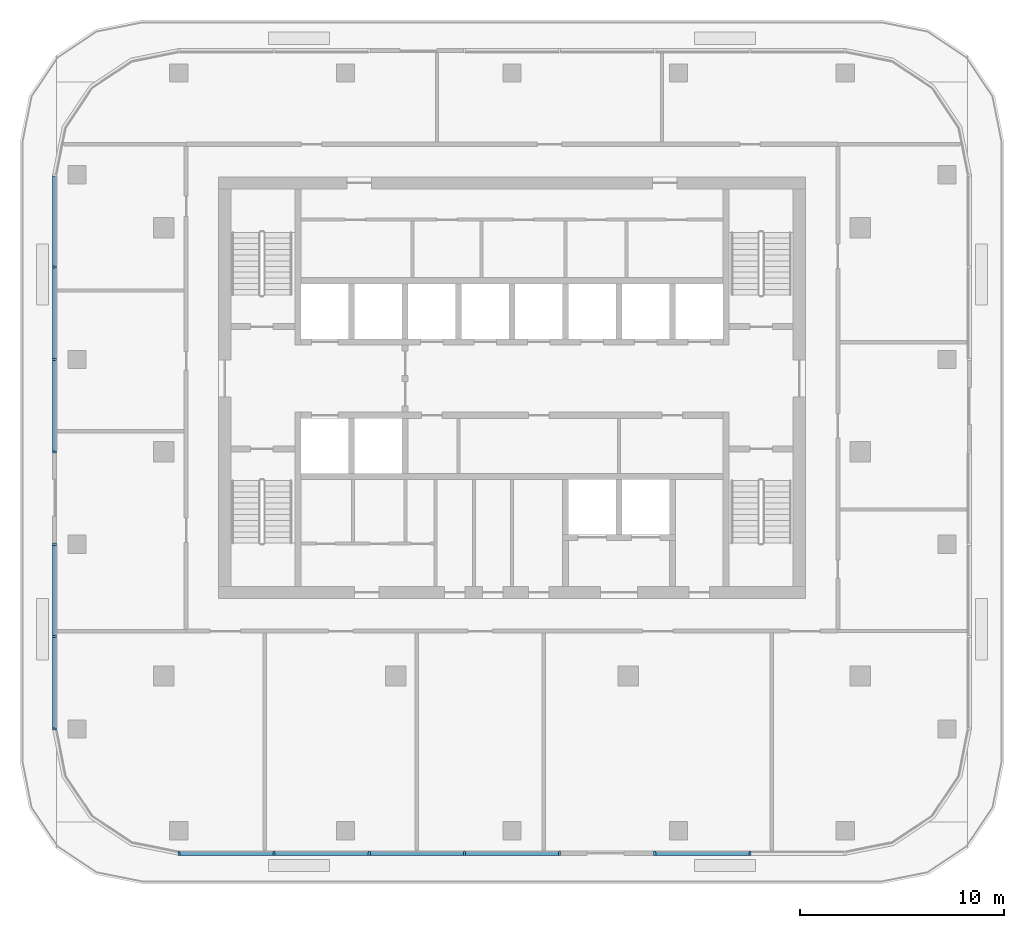
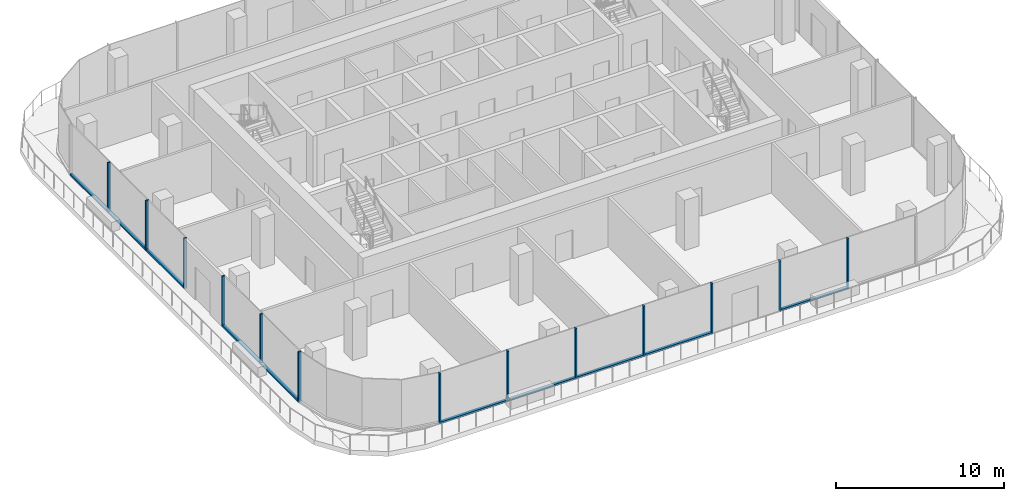
# One storey, part 2 of 12: 23 members, 4 elements without a shape of their own.
"""IFC4 building model written with IfcOpenShell, lengths in metres."""

import ifcopenshell
import ifcopenshell.guid

model = None  # the IFC model being written
_history = None  # IfcOwnerHistory: only IFC2X3 demands one
_inside = {}  # id of a spatial element -> (the spatial element, [elements in it])
_under = {}  # id of a project, library or spatial element -> (it, [spatial elements below it])
_declared = {}  # id of a project -> (the project, [libraries it declares])
_typed = {}  # id of a type object -> (the type object, [elements of that type])
_made_of = {}  # id of a material, layer set ... -> (it, [elements and type objects made of it])


def new_model(schema):
    """Start an empty IFC model of exactly this schema.

    Asked for "IFC4X3", IfcOpenShell would pick the latest addendum, in which some entities
    have other attributes; the version numbers below select the first issue.
    IFC2X3 requires an IfcOwnerHistory on every rooted entity: one is made here for all.
    """
    global model, _history
    if schema == "IFC4X3":
        model = ifcopenshell.file(schema_version=(4, 3, 0, 0))
    else:
        model = ifcopenshell.file(schema=schema)
    _inside.clear()
    _under.clear()
    _declared.clear()
    _typed.clear()
    _made_of.clear()
    _history = None
    if model.schema == "IFC2X3":
        org = make("IfcOrganization", Name="unknown")
        user = make(
            "IfcPersonAndOrganization",
            ThePerson=make("IfcPerson", FamilyName="unknown"),
            TheOrganization=org,
        )
        app = make(
            "IfcApplication",
            ApplicationDeveloper=org,
            Version="unknown",
            ApplicationFullName="unknown",
            ApplicationIdentifier="unknown",
        )
        _history = make(
            "IfcOwnerHistory",
            OwningUser=user,
            OwningApplication=app,
            ChangeAction="ADDED",
            CreationDate=0,
        )
    return model


def make(cls, **values):
    """One entity of the class cls with the attributes given. An attribute that is None is left unset."""
    return model.create_entity(
        cls, **{name: value for name, value in values.items() if value is not None}
    )


def rooted(cls, **values):
    """An entity with a GlobalId (a new one), such as an element, a storey or a relation."""
    return make(cls, GlobalId=ifcopenshell.guid.new(), OwnerHistory=_history, **values)


def si_unit(unit_type, name, prefix=None):
    """IfcSIUnit, for example si_unit("LENGTHUNIT", "METRE", prefix="MILLI")."""
    return make("IfcSIUnit", UnitType=unit_type, Prefix=prefix, Name=name)


def assignment(units):
    """IfcUnitAssignment: the units of a project."""
    return None if units is None else make("IfcUnitAssignment", Units=units)


def point(xyz):
    """IfcCartesianPoint."""
    return None if xyz is None else make("IfcCartesianPoint", Coordinates=xyz)


def direction(xyz):
    """IfcDirection."""
    return None if xyz is None else make("IfcDirection", DirectionRatios=xyz)


def frame(location, z_axis=None, x_axis=None):
    """IfcAxis2Placement3D, a coordinate frame: its origin and axes. An axis left out is left unset."""
    return make(
        "IfcAxis2Placement3D",
        Location=point(location),
        Axis=direction(z_axis),
        RefDirection=direction(x_axis),
    )


def frame_2d(location, x_axis=None):
    """IfcAxis2Placement2D, a coordinate frame in the plane: its origin and x axis."""
    return make(
        "IfcAxis2Placement2D", Location=point(location), RefDirection=direction(x_axis)
    )


def origin():
    """The frame at (0, 0, 0) with its axes left unset."""
    return frame((0.0, 0.0, 0.0))


def origin_2d():
    """The frame at (0, 0) in the plane with its x axis left unset."""
    return frame_2d((0.0, 0.0))


def place(relative_to, where):
    """IfcLocalPlacement: puts the frame where relative to a parent placement (None: the world)."""
    return make(
        "IfcLocalPlacement", PlacementRelTo=relative_to, RelativePlacement=where
    )


def context(
    kind, dimensions, precision=None, world=None, true_north=None, identifier=None
):
    """IfcGeometricRepresentationContext, for example the 3D "Model" context."""
    return make(
        "IfcGeometricRepresentationContext",
        ContextIdentifier=identifier,
        ContextType=kind,
        CoordinateSpaceDimension=dimensions,
        Precision=precision,
        WorldCoordinateSystem=world,
        TrueNorth=true_north,
    )


def subcontext(parent, identifier, kind, view, scale=None):
    """IfcGeometricRepresentationSubContext, for example "Body" below "Model"."""
    return make(
        "IfcGeometricRepresentationSubContext",
        ContextIdentifier=identifier,
        ContextType=kind,
        ParentContext=parent,
        TargetScale=scale,
        TargetView=view,
    )


def project(units=None, contexts=None):
    """IfcProject with its units and contexts."""
    return rooted(
        "IfcProject",
        Name="project",
        RepresentationContexts=contexts,
        UnitsInContext=assignment(units),
    )


def spatial(cls, under=None, at=None, **own):
    """A site, building, storey or space (cls), placed at a placement, below another one or the project."""
    s = rooted(cls, ObjectPlacement=at, **own)
    if under is not None:
        _under.setdefault(under.id(), (under, []))[1].append(s)
    return s


def profile(cls, at=None, kind="AREA", **sizes):
    """A parametric profile (cls). Its sizes go by their IFC names, for example OverallWidth=200.0."""
    return make(cls, ProfileType=kind, Position=at, **sizes)


def rectangle(**sizes):
    """IfcRectangleProfileDef."""
    return profile("IfcRectangleProfileDef", **sizes)


def extrude(swept, where, along, depth):
    """IfcExtrudedAreaSolid: the profile swept, set in the frame where, extruded along a direction by depth."""
    return make(
        "IfcExtrudedAreaSolid",
        SweptArea=swept,
        Position=where,
        ExtrudedDirection=direction(along),
        Depth=depth,
    )


def shape(context_of_items, identifier, shape_type, items):
    """IfcShapeRepresentation: the items that make up one representation, for example the "Body"."""
    return make(
        "IfcShapeRepresentation",
        ContextOfItems=context_of_items,
        RepresentationIdentifier=identifier,
        RepresentationType=shape_type,
        Items=items,
    )


def material(Name=None, Category=None):
    """IfcMaterial."""
    return make("IfcMaterial", Name=Name, Category=Category)


def material_profile(
    of_material, cross_section, Name=None, Category=None, Priority=None
):
    """IfcMaterialProfile: a cross section and its material."""
    return make(
        "IfcMaterialProfile",
        Name=Name,
        Material=of_material,
        Profile=cross_section,
        Priority=Priority,
        Category=Category,
    )


def profile_set(profiles, Name=None, composite=None):
    """IfcMaterialProfileSet."""
    return make(
        "IfcMaterialProfileSet",
        Name=Name,
        MaterialProfiles=profiles,
        CompositeProfile=composite,
    )


def made_of(thing, what):
    """Note that an element or type object is made of a material, layer set ...; save() writes the relation."""
    if what is not None:
        _made_of.setdefault(what.id(), (what, []))[1].append(thing)
    return thing


def type_object(cls, material=None, **own):
    """A type object (cls), such as IfcWallType, which elements share."""
    return made_of(rooted(cls, **own), material)


def element(
    cls,
    number,
    at=None,
    inside=None,
    cuts=None,
    type_object=None,
    material=None,
    context=None,
    identifier="Body",
    shape_type=None,
    held_by="IfcProductDefinitionShape",
    body=None,
    shapes=None,
    **own,
):
    """One element of the class cls, such as IfcWall. Its Tag is "e" and its number.

    at: its placement. inside: the storey or other place that contains it. cuts: it is an
    opening in that element (IfcRelVoidsElement). A single representation is given by context,
    identifier, shape_type and body (its items); several are given by shapes. held_by: the class
    of the entity that holds the representations. save() writes the other relations.
    """
    e = rooted(cls, Tag="e%d" % number, ObjectPlacement=at, **own)
    if body is not None:
        shapes = [shape(context, identifier, shape_type, body)]
    if shapes is not None:
        e.Representation = make(held_by, Representations=shapes)
    if inside is not None:
        _inside.setdefault(inside.id(), (inside, []))[1].append(e)
    if cuts is not None:
        rooted(
            "IfcRelVoidsElement", RelatingBuildingElement=cuts, RelatedOpeningElement=e
        )
    if type_object is not None:
        _typed.setdefault(type_object.id(), (type_object, []))[1].append(e)
    return made_of(e, material)


def aggregate(whole, parts):
    """IfcRelAggregates: a whole, such as a stair, and the parts it consists of."""
    return rooted("IfcRelAggregates", RelatingObject=whole, RelatedObjects=parts)


def save(model, path):
    """Write the relations noted so far, then the file.

    IfcRelAggregates (storeys below a building ...), IfcRelContainedInSpatialStructure (elements
    in a storey), IfcRelDefinesByType, IfcRelAssociatesMaterial and IfcRelDeclares: one each for
    every whole, place, type object, material and project.
    """
    for whole, parts in _under.values():
        aggregate(whole, parts)
    for where, things in _inside.values():
        rooted(
            "IfcRelContainedInSpatialStructure",
            RelatedElements=things,
            RelatingStructure=where,
        )
    for kind, things in _typed.values():
        rooted("IfcRelDefinesByType", RelatedObjects=things, RelatingType=kind)
    for what, things in _made_of.values():
        rooted("IfcRelAssociatesMaterial", RelatedObjects=things, RelatingMaterial=what)
    for by, libraries in _declared.values():
        rooted("IfcRelDeclares", RelatingContext=by, RelatedDefinitions=libraries)
    model.write(path)


model = new_model("IFC4")

# Units and contexts
model_context = context("Model", 3, precision=1e-05, world=origin(), true_north=direction((0.0, 1.0)))
body_context = subcontext(model_context, "Body", "Model", "MODEL_VIEW")
ifc_project = project(units=[si_unit("LENGTHUNIT", "METRE"), si_unit("AREAUNIT", "SQUARE_METRE"), si_unit("VOLUMEUNIT", "CUBIC_METRE"), si_unit("PLANEANGLEUNIT", "RADIAN"), si_unit("MASSUNIT", "GRAM", prefix="KILO")], contexts=[model_context])

# Site, building, storey
site_placement = place(None, origin())
site = spatial("IfcSite", under=ifc_project, at=site_placement, CompositionType="ELEMENT")
building_placement = place(site_placement, origin())
building = spatial("IfcBuilding", under=site, at=building_placement, Name="Mopane Tessera Tower", CompositionType="ELEMENT")
storey_placement = place(building_placement, frame((0.0, 0.0, 349.39990234375)))
storey = spatial("IfcBuildingStorey", under=building, at=storey_placement, Name="L76", CompositionType="ELEMENT", Elevation=349.39990234375)

# Curtain wall, members
ifc_material_1 = material(Name="Aluminium frame", Category="aluminium")
curtain_wall_type = type_object("IfcCurtainWallType", Name="Unitised curtain wall", PredefinedType="NOTDEFINED", material=ifc_material_1)
curtain_wall_1_placement = place(storey_placement, origin())
curtain_wall_1 = element("IfcCurtainWall", 1, at=curtain_wall_1_placement, inside=storey, type_object=curtain_wall_type, Name="e:cw:L76:S:0", PredefinedType="NOTDEFINED")
ifc_material_2 = material(Name="Aluminium frame", Category="aluminium")
ifc_material_profile_1 = material_profile(ifc_material_2, rectangle(XDim=0.10009765625, YDim=0.199951171875, at=origin_2d()))
ifc_profile_set_1 = profile_set([ifc_material_profile_1], Name="Aluminium frame")
member_type_1 = type_object("IfcMemberType", Name="Aluminium mullion 100 x 200", PredefinedType="MULLION", material=ifc_profile_set_1)
member_1_placement = place(storey_placement, frame((-16.35009765625, -19.699951171875, 0.0), z_axis=(0.0, 0.0, 1.0), x_axis=(1.0, 0.0, 0.0)))
member_1 = element("IfcMember", 2, at=member_1_placement, type_object=member_type_1, Name="e:cw:L76:S:0:mu0", PredefinedType="MULLION", context=body_context, shape_type="SweptSolid", body=[
    extrude(rectangle(XDim=0.10009765625, YDim=0.199951171875, at=origin_2d()), origin(), (0.0, 0.0, 1.0), 3.650146484375),
])
member_2_placement = place(storey_placement, frame((-11.678466796875, -19.699951171875, 0.0), z_axis=(0.0, 0.0, 1.0), x_axis=(1.0, 0.0, 0.0)))
member_2 = element("IfcMember", 3, at=member_2_placement, type_object=member_type_1, Name="e:cw:L76:S:0:mu1", PredefinedType="MULLION", context=body_context, shape_type="SweptSolid", body=[
    extrude(rectangle(XDim=0.10009765625, YDim=0.199951171875, at=origin_2d()), origin(), (0.0, 0.0, 1.0), 3.650146484375),
])
member_3_placement = place(storey_placement, frame((-7.007080078125, -19.699951171875, 0.0), z_axis=(0.0, 0.0, 1.0), x_axis=(1.0, 0.0, 0.0)))
member_3 = element("IfcMember", 4, at=member_3_placement, type_object=member_type_1, Name="e:cw:L76:S:0:mu2", PredefinedType="MULLION", context=body_context, shape_type="SweptSolid", body=[
    extrude(rectangle(XDim=0.10009765625, YDim=0.199951171875, at=origin_2d()), origin(), (0.0, 0.0, 1.0), 3.650146484375),
])
member_4_placement = place(storey_placement, frame((-2.335693359375, -19.699951171875, 0.0), z_axis=(0.0, 0.0, 1.0), x_axis=(1.0, 0.0, 0.0)))
member_4 = element("IfcMember", 5, at=member_4_placement, type_object=member_type_1, Name="e:cw:L76:S:0:mu3", PredefinedType="MULLION", context=body_context, shape_type="SweptSolid", body=[
    extrude(rectangle(XDim=0.10009765625, YDim=0.199951171875, at=origin_2d()), origin(), (0.0, 0.0, 1.0), 3.650146484375),
])
member_5_placement = place(storey_placement, frame((2.335693359375, -19.699951171875, 0.0), z_axis=(0.0, 0.0, 1.0), x_axis=(1.0, 0.0, 0.0)))
member_5 = element("IfcMember", 6, at=member_5_placement, type_object=member_type_1, Name="e:cw:L76:S:0:mu4", PredefinedType="MULLION", context=body_context, shape_type="SweptSolid", body=[
    extrude(rectangle(XDim=0.10009765625, YDim=0.199951171875, at=origin_2d()), origin(), (0.0, 0.0, 1.0), 3.650146484375),
])

curtain_wall_2_placement = place(storey_placement, origin())
curtain_wall_2 = element("IfcCurtainWall", 7, at=curtain_wall_2_placement, inside=storey, type_object=curtain_wall_type, Name="e:cw:L76:S:5", PredefinedType="NOTDEFINED")
member_6_placement = place(storey_placement, frame((7.007080078125, -19.699951171875, 0.0), z_axis=(0.0, 0.0, 1.0), x_axis=(1.0, 0.0, 0.0)))
member_6 = element("IfcMember", 8, at=member_6_placement, type_object=member_type_1, Name="e:cw:L76:S:5:mu5", PredefinedType="MULLION", context=body_context, shape_type="SweptSolid", body=[
    extrude(rectangle(XDim=0.10009765625, YDim=0.199951171875, at=origin_2d()), origin(), (0.0, 0.0, 1.0), 3.650146484375),
])
member_7_placement = place(storey_placement, frame((11.678466796875, -19.699951171875, 0.0), z_axis=(0.0, 0.0, 1.0), x_axis=(1.0, 0.0, 0.0)))
member_7 = element("IfcMember", 9, at=member_7_placement, type_object=member_type_1, Name="e:cw:L76:S:5:mu6", PredefinedType="MULLION", context=body_context, shape_type="SweptSolid", body=[
    extrude(rectangle(XDim=0.10009765625, YDim=0.199951171875, at=origin_2d()), origin(), (0.0, 0.0, 1.0), 3.650146484375),
])

curtain_wall_3_placement = place(storey_placement, origin())
curtain_wall_3 = element("IfcCurtainWall", 10, at=curtain_wall_3_placement, inside=storey, type_object=curtain_wall_type, Name="e:cw:L76:W:0", PredefinedType="NOTDEFINED")
member_8_placement = place(storey_placement, frame((-22.449951171875, 9.066650390625, 0.0), z_axis=(0.0, 0.0, 1.0), x_axis=(0.0, -1.0, 0.0)))
member_8 = element("IfcMember", 11, at=member_8_placement, type_object=member_type_1, Name="e:cw:L76:W:0:mu1", PredefinedType="MULLION", context=body_context, shape_type="SweptSolid", body=[
    extrude(rectangle(XDim=0.10009765625, YDim=0.199951171875, at=origin_2d()), origin(), (0.0, 0.0, 1.0), 3.650146484375),
])
member_9_placement = place(storey_placement, frame((-22.449951171875, 4.533447265625, 0.0), z_axis=(0.0, 0.0, 1.0), x_axis=(0.0, -1.0, 0.0)))
member_9 = element("IfcMember", 12, at=member_9_placement, type_object=member_type_1, Name="e:cw:L76:W:0:mu2", PredefinedType="MULLION", context=body_context, shape_type="SweptSolid", body=[
    extrude(rectangle(XDim=0.10009765625, YDim=0.199951171875, at=origin_2d()), origin(), (0.0, 0.0, 1.0), 3.650146484375),
])
member_10_placement = place(storey_placement, frame((-22.449951171875, 0.0, 0.0), z_axis=(0.0, 0.0, 1.0), x_axis=(0.0, -1.0, 0.0)))
member_10 = element("IfcMember", 13, at=member_10_placement, type_object=member_type_1, Name="e:cw:L76:W:0:mu3", PredefinedType="MULLION", context=body_context, shape_type="SweptSolid", body=[
    extrude(rectangle(XDim=0.10009765625, YDim=0.199951171875, at=origin_2d()), origin(), (0.0, 0.0, 1.0), 3.650146484375),
])

curtain_wall_4_placement = place(storey_placement, origin())
curtain_wall_4 = element("IfcCurtainWall", 14, at=curtain_wall_4_placement, inside=storey, type_object=curtain_wall_type, Name="e:cw:L76:W:4", PredefinedType="NOTDEFINED")
member_11_placement = place(storey_placement, frame((-22.449951171875, -4.533447265625, 0.0), z_axis=(0.0, 0.0, 1.0), x_axis=(0.0, -1.0, 0.0)))
member_11 = element("IfcMember", 15, at=member_11_placement, type_object=member_type_1, Name="e:cw:L76:W:4:mu4", PredefinedType="MULLION", context=body_context, shape_type="SweptSolid", body=[
    extrude(rectangle(XDim=0.10009765625, YDim=0.199951171875, at=origin_2d()), origin(), (0.0, 0.0, 1.0), 3.650146484375),
])
member_12_placement = place(storey_placement, frame((-22.449951171875, -9.066650390625, 0.0), z_axis=(0.0, 0.0, 1.0), x_axis=(0.0, -1.0, 0.0)))
member_12 = element("IfcMember", 16, at=member_12_placement, type_object=member_type_1, Name="e:cw:L76:W:4:mu5", PredefinedType="MULLION", context=body_context, shape_type="SweptSolid", body=[
    extrude(rectangle(XDim=0.10009765625, YDim=0.199951171875, at=origin_2d()), origin(), (0.0, 0.0, 1.0), 3.650146484375),
])
member_13_placement = place(storey_placement, frame((-22.449951171875, -13.60009765625, 0.0), z_axis=(0.0, 0.0, 1.0), x_axis=(0.0, -1.0, 0.0)))
member_13 = element("IfcMember", 17, at=member_13_placement, type_object=member_type_1, Name="e:cw:L76:W:4:mu6", PredefinedType="MULLION", context=body_context, shape_type="SweptSolid", body=[
    extrude(rectangle(XDim=0.10009765625, YDim=0.199951171875, at=origin_2d()), origin(), (0.0, 0.0, 1.0), 3.650146484375),
])

# Member
ifc_material_3 = material(Name="Aluminium frame", Category="aluminium")
ifc_material_profile_2 = material_profile(ifc_material_3, rectangle(XDim=0.199951171875, YDim=0.1201171875, at=origin_2d()))
ifc_profile_set_2 = profile_set([ifc_material_profile_2], Name="Aluminium frame")
member_type_2 = type_object("IfcMemberType", Name="Aluminium transom 200 x 120", PredefinedType="USERDEFINED", material=ifc_profile_set_2)
member_14_placement = place(storey_placement, frame((-16.300048828125, -19.699951171875, 0.06005859375), z_axis=(1.0, 0.0, 0.0), x_axis=(0.0, 1.0, 0.0)))
member_14 = element("IfcMember", 18, at=member_14_placement, type_object=member_type_2, Name="e:cw:L76:S:0:tr0", ObjectType="TRANSOM", PredefinedType="USERDEFINED", context=body_context, shape_type="SweptSolid", body=[
    extrude(rectangle(XDim=0.199951171875, YDim=0.1201171875, at=origin_2d()), origin(), (0.0, 0.0, 1.0), 4.571533203125),
])

member_15_placement = place(storey_placement, frame((-11.628662109375, -19.699951171875, 0.06005859375), z_axis=(1.0, 0.0, 0.0), x_axis=(0.0, 1.0, 0.0)))
member_15 = element("IfcMember", 19, at=member_15_placement, type_object=member_type_2, Name="e:cw:L76:S:0:tr1", ObjectType="TRANSOM", PredefinedType="USERDEFINED", context=body_context, shape_type="SweptSolid", body=[
    extrude(rectangle(XDim=0.199951171875, YDim=0.1201171875, at=origin_2d()), origin(), (0.0, 0.0, 1.0), 4.571533203125),
])

member_16_placement = place(storey_placement, frame((-6.95703125, -19.699951171875, 0.06005859375), z_axis=(1.0, 0.0, 0.0), x_axis=(0.0, 1.0, 0.0)))
member_16 = element("IfcMember", 20, at=member_16_placement, type_object=member_type_2, Name="e:cw:L76:S:0:tr2", ObjectType="TRANSOM", PredefinedType="USERDEFINED", context=body_context, shape_type="SweptSolid", body=[
    extrude(rectangle(XDim=0.199951171875, YDim=0.1201171875, at=origin_2d()), origin(), (0.0, 0.0, 1.0), 4.5712890625),
])

member_17_placement = place(storey_placement, frame((-2.28564453125, -19.699951171875, 0.06005859375), z_axis=(1.0, 0.0, 0.0), x_axis=(0.0, 1.0, 0.0)))
member_17 = element("IfcMember", 21, at=member_17_placement, type_object=member_type_2, Name="e:cw:L76:S:0:tr3", ObjectType="TRANSOM", PredefinedType="USERDEFINED", context=body_context, shape_type="SweptSolid", body=[
    extrude(rectangle(XDim=0.199951171875, YDim=0.1201171875, at=origin_2d()), origin(), (0.0, 0.0, 1.0), 4.5712890625),
])

aggregate(curtain_wall_1, [member_1, member_2, member_3, member_4, member_5, member_14, member_15, member_16, member_17])

member_18_placement = place(storey_placement, frame((7.05712890625, -19.699951171875, 0.06005859375), z_axis=(1.0, 0.0, 0.0), x_axis=(0.0, 1.0, 0.0)))
member_18 = element("IfcMember", 22, at=member_18_placement, type_object=member_type_2, Name="e:cw:L76:S:5:tr5", ObjectType="TRANSOM", PredefinedType="USERDEFINED", context=body_context, shape_type="SweptSolid", body=[
    extrude(rectangle(XDim=0.199951171875, YDim=0.1201171875, at=origin_2d()), origin(), (0.0, 0.0, 1.0), 4.571533203125),
])

aggregate(curtain_wall_2, [member_6, member_7, member_18])

member_19_placement = place(storey_placement, frame((-22.449951171875, 13.550048828125, 0.06005859375), z_axis=(0.0, -1.0, 0.0), x_axis=(1.0, 0.0, 0.0)))
member_19 = element("IfcMember", 23, at=member_19_placement, type_object=member_type_2, Name="e:cw:L76:W:0:tr0", ObjectType="TRANSOM", PredefinedType="USERDEFINED", context=body_context, shape_type="SweptSolid", body=[
    extrude(rectangle(XDim=0.199951171875, YDim=0.1201171875, at=origin_2d()), origin(), (0.0, 0.0, 1.0), 4.433349609375),
])

member_20_placement = place(storey_placement, frame((-22.449951171875, 9.0166015625, 0.06005859375), z_axis=(0.0, -1.0, 0.0), x_axis=(1.0, 0.0, 0.0)))
member_20 = element("IfcMember", 24, at=member_20_placement, type_object=member_type_2, Name="e:cw:L76:W:0:tr1", ObjectType="TRANSOM", PredefinedType="USERDEFINED", context=body_context, shape_type="SweptSolid", body=[
    extrude(rectangle(XDim=0.199951171875, YDim=0.1201171875, at=origin_2d()), origin(), (0.0, 0.0, 1.0), 4.433349609375),
])

member_21_placement = place(storey_placement, frame((-22.449951171875, 4.4833984375, 0.06005859375), z_axis=(0.0, -1.0, 0.0), x_axis=(1.0, 0.0, 0.0)))
member_21 = element("IfcMember", 25, at=member_21_placement, type_object=member_type_2, Name="e:cw:L76:W:0:tr2", ObjectType="TRANSOM", PredefinedType="USERDEFINED", context=body_context, shape_type="SweptSolid", body=[
    extrude(rectangle(XDim=0.199951171875, YDim=0.1201171875, at=origin_2d()), origin(), (0.0, 0.0, 1.0), 4.433349609375),
])

aggregate(curtain_wall_3, [member_8, member_9, member_10, member_19, member_20, member_21])

member_22_placement = place(storey_placement, frame((-22.449951171875, -4.583251953125, 0.06005859375), z_axis=(0.0, -1.0, 0.0), x_axis=(1.0, 0.0, 0.0)))
member_22 = element("IfcMember", 26, at=member_22_placement, type_object=member_type_2, Name="e:cw:L76:W:4:tr4", ObjectType="TRANSOM", PredefinedType="USERDEFINED", context=body_context, shape_type="SweptSolid", body=[
    extrude(rectangle(XDim=0.199951171875, YDim=0.1201171875, at=origin_2d()), origin(), (0.0, 0.0, 1.0), 4.433349609375),
])

member_23_placement = place(storey_placement, frame((-22.449951171875, -9.11669921875, 0.06005859375), z_axis=(0.0, -1.0, 0.0), x_axis=(1.0, 0.0, 0.0)))
member_23 = element("IfcMember", 27, at=member_23_placement, type_object=member_type_2, Name="e:cw:L76:W:4:tr5", ObjectType="TRANSOM", PredefinedType="USERDEFINED", context=body_context, shape_type="SweptSolid", body=[
    extrude(rectangle(XDim=0.199951171875, YDim=0.1201171875, at=origin_2d()), origin(), (0.0, 0.0, 1.0), 4.433349609375),
])

aggregate(curtain_wall_4, [member_11, member_12, member_13, member_22, member_23])

save(model, "model.ifc")
